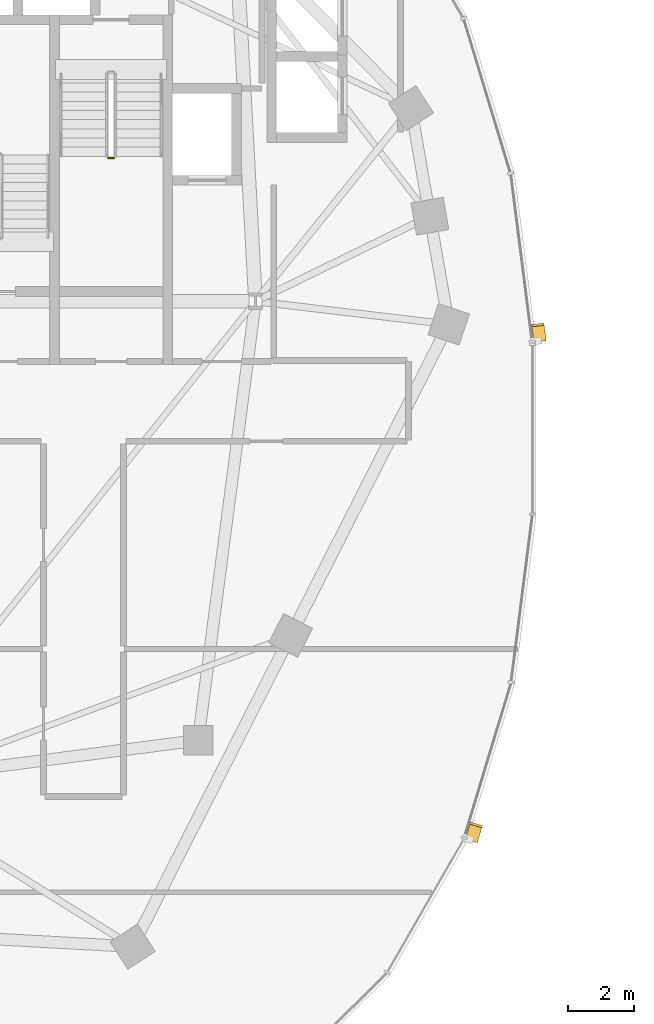
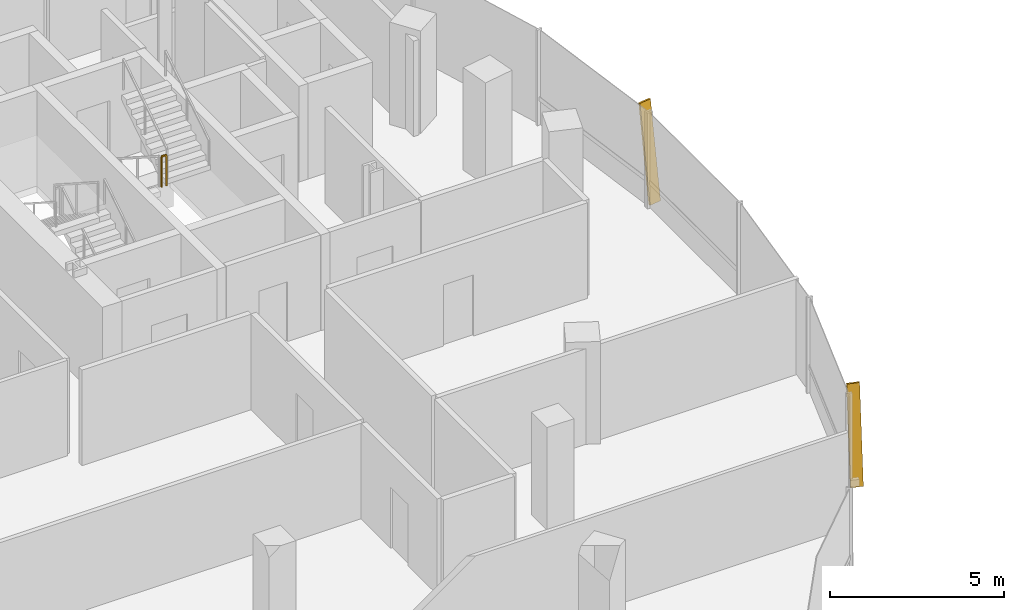
# One storey, part 20 of 23: 2 shading devices, 1 railing.
"""IFC4 building model written with IfcOpenShell, lengths in metres."""

from ifc_helpers import new_model, si_unit, direction, frame, origin, origin_2d, place, context, subcontext, project, spatial, rectangle, extrude, material, material_profile, profile_set, type_object, element, save


model = new_model("IFC4")

# Units and contexts
model_context = context("Model", 3, precision=1e-05, world=origin(), true_north=direction((0.0, 1.0)))
body_context = subcontext(model_context, "Body", "Model", "MODEL_VIEW")
ifc_project = project(units=[si_unit("LENGTHUNIT", "METRE"), si_unit("AREAUNIT", "SQUARE_METRE"), si_unit("VOLUMEUNIT", "CUBIC_METRE"), si_unit("PLANEANGLEUNIT", "RADIAN"), si_unit("MASSUNIT", "GRAM", prefix="KILO"), si_unit("THERMODYNAMICTEMPERATUREUNIT", "KELVIN"), si_unit("POWERUNIT", "WATT")], contexts=[model_context])

# Site, building, storey
site_placement = place(None, origin())
site = spatial("IfcSite", under=ifc_project, at=site_placement, CompositionType="ELEMENT")
building_placement = place(site_placement, origin())
building = spatial("IfcBuilding", under=site, at=building_placement, Name="Cundina Bronze Exchange", CompositionType="ELEMENT")
storey_placement = place(building_placement, frame((0.0, 0.0, 172.800048828125)))
storey = spatial("IfcBuildingStorey", under=building, at=storey_placement, Name="L45", CompositionType="ELEMENT", Elevation=172.800048828125)

# Railing
ifc_material_1 = material(Name="Steel ASTM A36 Painted", Category="steel")
railing_type = type_object("IfcRailingType", Name="RLG-STG-1100", PredefinedType="GUARDRAIL", material=ifc_material_1)
railing_placement = place(storey_placement, frame((-25.93994140625, 8.280029296875, 1.800048828125)))
element("IfcRailing", 1, at=railing_placement, inside=storey, type_object=railing_type, Name="L45 ST-W2 stair guard 2", PredefinedType="GUARDRAIL", context=body_context, shape_type="SweptSolid", body=[
    extrude(rectangle(XDim=0.048095703125, YDim=0.048095703125, at=origin_2d()), frame((0.0, 0.0, 1.076171875), z_axis=(1.0, 0.0, 0.0), x_axis=(0.0, 1.0, 0.0)), (0.0, 0.0, 1.0), 0.159912109375),
    extrude(rectangle(XDim=0.0419921875, YDim=0.0419921875, at=origin_2d()), origin(), (0.0, 0.0, 1.0), 1.052001953125),
    extrude(rectangle(XDim=0.0419921875, YDim=0.0419921875, at=origin_2d()), frame((0.159912109375, 0.0, 0.0)), (0.0, 0.0, 1.0), 1.052001953125),
])

# Shading devices
ifc_material_2 = material(Name="Anodised Bronze Aluminium 6063-T6", Category="aluminium")
ifc_material_profile = material_profile(ifc_material_2, rectangle(XDim=0.070068359375, YDim=0.3798828125, at=origin_2d()), Name="FIN70X380", Category="aluminium")
ifc_profile_set = profile_set([ifc_material_profile], Name="Anodised Bronze Aluminium 6063-T6")
shading_device_type = type_object("IfcShadingDeviceType", Name="SHD-FIN-BRZ380", PredefinedType="USERDEFINED", material=ifc_profile_set)
for number, where, z_axis, x_axis, name in (
    (2, (-12.76513671875, 2.705810546875, 0.02001953125), (-0.018123110499, 0.141927973785, 0.989711070527), (0.125360600332, -0.981739641151, 0.143080386066), "L45 Diagonal Bronze Solar Fin 1"),
    (3, (-14.848876953125, -12.5439453125, 0.02001953125), (0.041486383227, 0.136977847776, 0.989704980904), (-0.286882071994, -0.94721413946, 0.143122502684), "L45 Diagonal Bronze Solar Fin 5"),
):
    element("IfcShadingDevice", number, at=place(storey_placement, frame(where, z_axis=z_axis, x_axis=x_axis)), inside=storey, type_object=shading_device_type, Name=name, ObjectType="FIN", PredefinedType="USERDEFINED", context=body_context, shape_type="SweptSolid", body=[
        extrude(rectangle(XDim=0.070068359375, YDim=0.3798828125, at=origin_2d()), origin(), (0.0, 0.0, 1.0), 3.354248046875),
    ])

save(model, "model.ifc")
